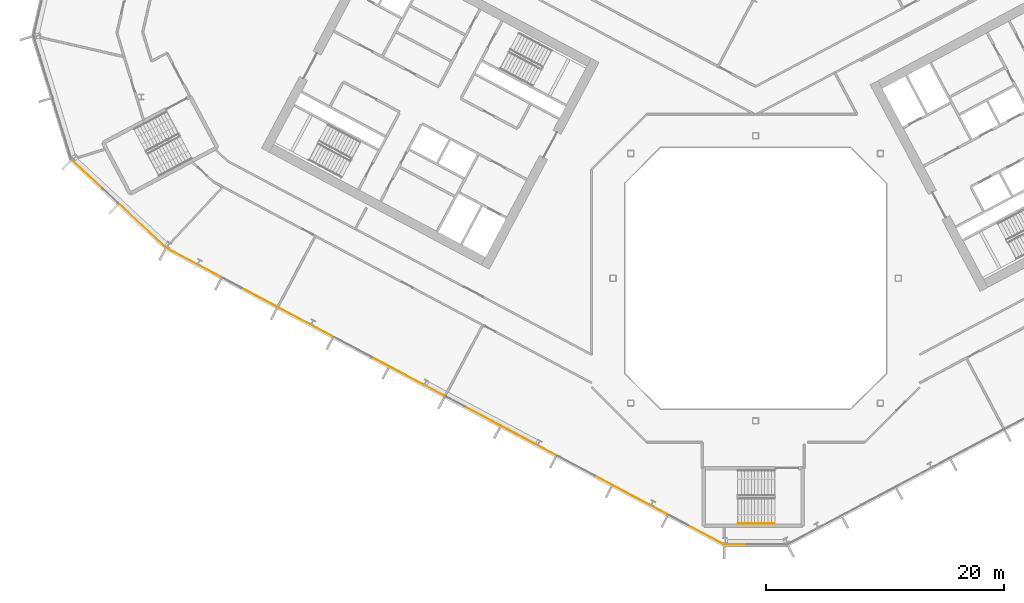
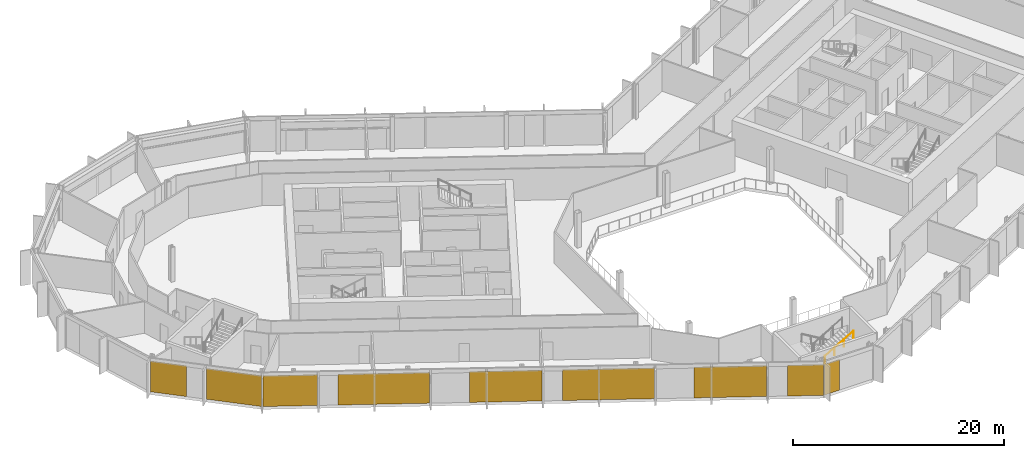
# One storey, part 19 of 28: 9 coverings, 1 railing, 3 elements without a shape of their own.
"""IFC4 building model written with IfcOpenShell, lengths in metres."""

import ifcopenshell
import ifcopenshell.guid

model = None  # the IFC model being written
_history = None  # IfcOwnerHistory: only IFC2X3 demands one
_inside = {}  # id of a spatial element -> (the spatial element, [elements in it])
_under = {}  # id of a project, library or spatial element -> (it, [spatial elements below it])
_declared = {}  # id of a project -> (the project, [libraries it declares])
_typed = {}  # id of a type object -> (the type object, [elements of that type])
_made_of = {}  # id of a material, layer set ... -> (it, [elements and type objects made of it])


def new_model(schema):
    """Start an empty IFC model of exactly this schema.

    Asked for "IFC4X3", IfcOpenShell would pick the latest addendum, in which some entities
    have other attributes; the version numbers below select the first issue.
    IFC2X3 requires an IfcOwnerHistory on every rooted entity: one is made here for all.
    """
    global model, _history
    if schema == "IFC4X3":
        model = ifcopenshell.file(schema_version=(4, 3, 0, 0))
    else:
        model = ifcopenshell.file(schema=schema)
    _inside.clear()
    _under.clear()
    _declared.clear()
    _typed.clear()
    _made_of.clear()
    _history = None
    if model.schema == "IFC2X3":
        org = make("IfcOrganization", Name="unknown")
        user = make(
            "IfcPersonAndOrganization",
            ThePerson=make("IfcPerson", FamilyName="unknown"),
            TheOrganization=org,
        )
        app = make(
            "IfcApplication",
            ApplicationDeveloper=org,
            Version="unknown",
            ApplicationFullName="unknown",
            ApplicationIdentifier="unknown",
        )
        _history = make(
            "IfcOwnerHistory",
            OwningUser=user,
            OwningApplication=app,
            ChangeAction="ADDED",
            CreationDate=0,
        )
    return model


def make(cls, **values):
    """One entity of the class cls with the attributes given. An attribute that is None is left unset."""
    return model.create_entity(
        cls, **{name: value for name, value in values.items() if value is not None}
    )


def rooted(cls, **values):
    """An entity with a GlobalId (a new one), such as an element, a storey or a relation."""
    return make(cls, GlobalId=ifcopenshell.guid.new(), OwnerHistory=_history, **values)


def si_unit(unit_type, name, prefix=None):
    """IfcSIUnit, for example si_unit("LENGTHUNIT", "METRE", prefix="MILLI")."""
    return make("IfcSIUnit", UnitType=unit_type, Prefix=prefix, Name=name)


def assignment(units):
    """IfcUnitAssignment: the units of a project."""
    return None if units is None else make("IfcUnitAssignment", Units=units)


def point(xyz):
    """IfcCartesianPoint."""
    return None if xyz is None else make("IfcCartesianPoint", Coordinates=xyz)


def direction(xyz):
    """IfcDirection."""
    return None if xyz is None else make("IfcDirection", DirectionRatios=xyz)


def frame(location, z_axis=None, x_axis=None):
    """IfcAxis2Placement3D, a coordinate frame: its origin and axes. An axis left out is left unset."""
    return make(
        "IfcAxis2Placement3D",
        Location=point(location),
        Axis=direction(z_axis),
        RefDirection=direction(x_axis),
    )


def frame_2d(location, x_axis=None):
    """IfcAxis2Placement2D, a coordinate frame in the plane: its origin and x axis."""
    return make(
        "IfcAxis2Placement2D", Location=point(location), RefDirection=direction(x_axis)
    )


def origin():
    """The frame at (0, 0, 0) with its axes left unset."""
    return frame((0.0, 0.0, 0.0))


def origin_2d():
    """The frame at (0, 0) in the plane with its x axis left unset."""
    return frame_2d((0.0, 0.0))


def place(relative_to, where):
    """IfcLocalPlacement: puts the frame where relative to a parent placement (None: the world)."""
    return make(
        "IfcLocalPlacement", PlacementRelTo=relative_to, RelativePlacement=where
    )


def context(
    kind, dimensions, precision=None, world=None, true_north=None, identifier=None
):
    """IfcGeometricRepresentationContext, for example the 3D "Model" context."""
    return make(
        "IfcGeometricRepresentationContext",
        ContextIdentifier=identifier,
        ContextType=kind,
        CoordinateSpaceDimension=dimensions,
        Precision=precision,
        WorldCoordinateSystem=world,
        TrueNorth=true_north,
    )


def subcontext(parent, identifier, kind, view, scale=None):
    """IfcGeometricRepresentationSubContext, for example "Body" below "Model"."""
    return make(
        "IfcGeometricRepresentationSubContext",
        ContextIdentifier=identifier,
        ContextType=kind,
        ParentContext=parent,
        TargetScale=scale,
        TargetView=view,
    )


def project(units=None, contexts=None):
    """IfcProject with its units and contexts."""
    return rooted(
        "IfcProject",
        Name="project",
        RepresentationContexts=contexts,
        UnitsInContext=assignment(units),
    )


def spatial(cls, under=None, at=None, **own):
    """A site, building, storey or space (cls), placed at a placement, below another one or the project."""
    s = rooted(cls, ObjectPlacement=at, **own)
    if under is not None:
        _under.setdefault(under.id(), (under, []))[1].append(s)
    return s


def polyline(points):
    """IfcPolyline through the points."""
    return make("IfcPolyline", Points=[point(p) for p in points])


def profile(cls, at=None, kind="AREA", **sizes):
    """A parametric profile (cls). Its sizes go by their IFC names, for example OverallWidth=200.0."""
    return make(cls, ProfileType=kind, Position=at, **sizes)


def rectangle(**sizes):
    """IfcRectangleProfileDef."""
    return profile("IfcRectangleProfileDef", **sizes)


def outline(outer, holes=None, kind="AREA"):
    """IfcArbitraryClosedProfileDef: a profile drawn as a closed curve; with holes, ...WithVoids."""
    if holes is None:
        return make("IfcArbitraryClosedProfileDef", ProfileType=kind, OuterCurve=outer)
    return make(
        "IfcArbitraryProfileDefWithVoids",
        ProfileType=kind,
        OuterCurve=outer,
        InnerCurves=holes,
    )


def extrude(swept, where, along, depth):
    """IfcExtrudedAreaSolid: the profile swept, set in the frame where, extruded along a direction by depth."""
    return make(
        "IfcExtrudedAreaSolid",
        SweptArea=swept,
        Position=where,
        ExtrudedDirection=direction(along),
        Depth=depth,
    )


def shape(context_of_items, identifier, shape_type, items):
    """IfcShapeRepresentation: the items that make up one representation, for example the "Body"."""
    return make(
        "IfcShapeRepresentation",
        ContextOfItems=context_of_items,
        RepresentationIdentifier=identifier,
        RepresentationType=shape_type,
        Items=items,
    )


def material(Name=None, Category=None):
    """IfcMaterial."""
    return make("IfcMaterial", Name=Name, Category=Category)


def layer(
    of_material, thickness, ventilated=None, Name=None, Category=None, Priority=None
):
    """IfcMaterialLayer: one layer of a wall or slab, of a material (None: an air gap)."""
    return make(
        "IfcMaterialLayer",
        Material=of_material,
        LayerThickness=thickness,
        IsVentilated=ventilated,
        Name=Name,
        Category=Category,
        Priority=Priority,
    )


def layer_set(layers, Name=None):
    """IfcMaterialLayerSet."""
    return make("IfcMaterialLayerSet", MaterialLayers=layers, LayerSetName=Name)


def made_of(thing, what):
    """Note that an element or type object is made of a material, layer set ...; save() writes the relation."""
    if what is not None:
        _made_of.setdefault(what.id(), (what, []))[1].append(thing)
    return thing


def type_object(cls, material=None, **own):
    """A type object (cls), such as IfcWallType, which elements share."""
    return made_of(rooted(cls, **own), material)


def element(
    cls,
    number,
    at=None,
    inside=None,
    cuts=None,
    type_object=None,
    material=None,
    context=None,
    identifier="Body",
    shape_type=None,
    held_by="IfcProductDefinitionShape",
    body=None,
    shapes=None,
    **own,
):
    """One element of the class cls, such as IfcWall. Its Tag is "e" and its number.

    at: its placement. inside: the storey or other place that contains it. cuts: it is an
    opening in that element (IfcRelVoidsElement). A single representation is given by context,
    identifier, shape_type and body (its items); several are given by shapes. held_by: the class
    of the entity that holds the representations. save() writes the other relations.
    """
    e = rooted(cls, Tag="e%d" % number, ObjectPlacement=at, **own)
    if body is not None:
        shapes = [shape(context, identifier, shape_type, body)]
    if shapes is not None:
        e.Representation = make(held_by, Representations=shapes)
    if inside is not None:
        _inside.setdefault(inside.id(), (inside, []))[1].append(e)
    if cuts is not None:
        rooted(
            "IfcRelVoidsElement", RelatingBuildingElement=cuts, RelatedOpeningElement=e
        )
    if type_object is not None:
        _typed.setdefault(type_object.id(), (type_object, []))[1].append(e)
    return made_of(e, material)


def aggregate(whole, parts):
    """IfcRelAggregates: a whole, such as a stair, and the parts it consists of."""
    return rooted("IfcRelAggregates", RelatingObject=whole, RelatedObjects=parts)


def save(model, path):
    """Write the relations noted so far, then the file.

    IfcRelAggregates (storeys below a building ...), IfcRelContainedInSpatialStructure (elements
    in a storey), IfcRelDefinesByType, IfcRelAssociatesMaterial and IfcRelDeclares: one each for
    every whole, place, type object, material and project.
    """
    for whole, parts in _under.values():
        aggregate(whole, parts)
    for where, things in _inside.values():
        rooted(
            "IfcRelContainedInSpatialStructure",
            RelatedElements=things,
            RelatingStructure=where,
        )
    for kind, things in _typed.values():
        rooted("IfcRelDefinesByType", RelatedObjects=things, RelatingType=kind)
    for what, things in _made_of.values():
        rooted("IfcRelAssociatesMaterial", RelatedObjects=things, RelatingMaterial=what)
    for by, libraries in _declared.values():
        rooted("IfcRelDeclares", RelatingContext=by, RelatedDefinitions=libraries)
    model.write(path)


model = new_model("IFC4")

# Units and contexts
model_context = context("Model", 3, precision=1e-05, world=origin(), true_north=direction((0.0, 1.0)))
body_context = subcontext(model_context, "Body", "Model", "MODEL_VIEW")
ifc_project = project(units=[si_unit("LENGTHUNIT", "METRE"), si_unit("AREAUNIT", "SQUARE_METRE"), si_unit("VOLUMEUNIT", "CUBIC_METRE"), si_unit("PLANEANGLEUNIT", "RADIAN"), si_unit("MASSUNIT", "GRAM", prefix="KILO")], contexts=[model_context])

# Site, building, storey
site_placement = place(None, origin())
site = spatial("IfcSite", under=ifc_project, at=site_placement, CompositionType="ELEMENT")
building_placement = place(site_placement, origin())
building = spatial("IfcBuilding", under=site, at=building_placement, Name="Cormorant Relay Tower", CompositionType="ELEMENT")
storey_placement = place(building_placement, frame((0.0, 0.0, 130.199951171875)))
storey = spatial("IfcBuildingStorey", under=building, at=storey_placement, Name="L26", CompositionType="ELEMENT", Elevation=130.199951171875)

# Curtain wall, covering
ifc_material_1 = material(Name="Aluminium 6063-T6 anodised bronze", Category="aluminium")
ifc_layer_1 = layer(ifc_material_1, 0.199951171875)
ifc_layer_set_1 = layer_set([ifc_layer_1], Name="CW1 unitised bronze curtain wall with vertical fins")
curtain_wall_type = type_object("IfcCurtainWallType", Name="CW1 unitised bronze curtain wall with vertical fins", PredefinedType="NOTDEFINED", material=ifc_layer_set_1)
curtain_wall_1_placement = place(storey_placement, origin())
curtain_wall_1 = element("IfcCurtainWall", 1, at=curtain_wall_1_placement, inside=storey, type_object=curtain_wall_type, Name="CW1 curtain wall 1", PredefinedType="NOTDEFINED")
ifc_material_2 = material(Name="Pale bronze anodised aluminium insulated panel", Category="aluminium")
ifc_layer_2 = layer(ifc_material_2, 0.0400390625)
ifc_layer_set_2 = layer_set([ifc_layer_2], Name="CW1 pale bronze insulated panel 40")
covering_type = type_object("IfcCoveringType", Name="CW1 pale bronze insulated panel 40", PredefinedType="CLADDING", material=ifc_layer_set_2)
covering_1_placement = place(storey_placement, frame((-1.762451171875, -22.3955078125, 0.0), z_axis=(0.0, 0.0, 1.0), x_axis=(1.0, 0.0, 0.0)))
covering_1 = element("IfcCovering", 2, at=covering_1_placement, type_object=covering_type, Name="CW1 panel S00", PredefinedType="CLADDING", context=body_context, shape_type="SweptSolid", body=[
    extrude(rectangle(XDim=1.622802734375, YDim=0.0400390625, at=origin_2d()), origin(), (0.0, 0.0, 1.0), 3.550048828125),
])
aggregate(curtain_wall_1, [covering_1])

# Curtain wall, coverings
curtain_wall_2_placement = place(storey_placement, origin())
curtain_wall_2 = element("IfcCurtainWall", 3, at=curtain_wall_2_placement, inside=storey, type_object=curtain_wall_type, Name="CW1 curtain wall 15", PredefinedType="NOTDEFINED")
covering_2_placement = place(storey_placement, frame((-56.22607421875, 8.74365234375, 0.0), z_axis=(0.0, 0.0, 1.0), x_axis=(0.731353701619, -0.681998360062, 0.0)))
covering_2 = element("IfcCovering", 4, at=covering_2_placement, type_object=covering_type, Name="CW1 panel S00", PredefinedType="CLADDING", context=body_context, shape_type="SweptSolid", body=[
    extrude(rectangle(XDim=3.485107421875, YDim=0.0400390625, at=origin_2d()), origin(), (0.0, 0.0, 1.0), 3.550048828125),
])
covering_3_placement = place(storey_placement, frame((-51.565185546875, 4.3974609375, 0.0), z_axis=(0.0, 0.0, 1.0), x_axis=(0.731353701619, -0.681998360062, 0.0)))
covering_3 = element("IfcCovering", 5, at=covering_3_placement, type_object=covering_type, Name="CW1 panel S02", PredefinedType="CLADDING", context=body_context, shape_type="SweptSolid", body=[
    extrude(rectangle(XDim=5.360107421875, YDim=0.0400390625, at=origin_2d()), origin(), (0.0, 0.0, 1.0), 3.550048828125),
])
aggregate(curtain_wall_2, [covering_2, covering_3])

curtain_wall_3_placement = place(storey_placement, origin())
curtain_wall_3 = element("IfcCurtainWall", 6, at=curtain_wall_3_placement, inside=storey, type_object=curtain_wall_type, Name="CW1 curtain wall 16", PredefinedType="NOTDEFINED")
covering_4_placement = place(storey_placement, frame((-47.25390625, 1.318603515625, 0.0), z_axis=(0.0, 0.0, 1.0), x_axis=(0.882947592859, -0.469471562786, 0.0)))
covering_4 = element("IfcCovering", 7, at=covering_4_placement, type_object=covering_type, Name="CW1 panel S00", PredefinedType="CLADDING", context=body_context, shape_type="SweptSolid", body=[
    extrude(rectangle(XDim=5.16650390625, YDim=0.0400390625, at=origin_2d()), origin(), (0.0, 0.0, 1.0), 3.550048828125),
])
covering_5_placement = place(storey_placement, frame((-39.417724609375, -2.847900390625, 0.0), z_axis=(0.0, 0.0, 1.0), x_axis=(0.882947592859, -0.469471562786, 0.0)))
covering_5 = element("IfcCovering", 8, at=covering_5_placement, type_object=covering_type, Name="CW1 panel S02", PredefinedType="CLADDING", context=body_context, shape_type="SweptSolid", body=[
    extrude(rectangle(XDim=8.68310546875, YDim=0.0400390625, at=origin_2d()), origin(), (0.0, 0.0, 1.0), 3.550048828125),
])
covering_6_placement = place(storey_placement, frame((-29.234619140625, -8.26220703125, 0.0), z_axis=(0.0, 0.0, 1.0), x_axis=(0.882947592859, -0.469471562786, 0.0)))
covering_6 = element("IfcCovering", 9, at=covering_6_placement, type_object=covering_type, Name="CW1 panel S04", PredefinedType="CLADDING", context=body_context, shape_type="SweptSolid", body=[
    extrude(rectangle(XDim=6.88330078125, YDim=0.0400390625, at=origin_2d()), origin(), (0.0, 0.0, 1.0), 3.550048828125),
])
covering_7_placement = place(storey_placement, frame((-20.640625, -12.831787109375, 0.0), z_axis=(0.0, 0.0, 1.0), x_axis=(0.882947592859, -0.469471562786, 0.0)))
covering_7 = element("IfcCovering", 10, at=covering_7_placement, type_object=covering_type, Name="CW1 panel S06", PredefinedType="CLADDING", context=body_context, shape_type="SweptSolid", body=[
    extrude(rectangle(XDim=8.68310546875, YDim=0.0400390625, at=origin_2d()), origin(), (0.0, 0.0, 1.0), 3.550048828125),
])
covering_8_placement = place(storey_placement, frame((-10.45751953125, -18.246337890625, 0.0), z_axis=(0.0, 0.0, 1.0), x_axis=(0.882947592859, -0.469471562786, 0.0)))
covering_8 = element("IfcCovering", 11, at=covering_8_placement, type_object=covering_type, Name="CW1 panel S08", PredefinedType="CLADDING", context=body_context, shape_type="SweptSolid", body=[
    extrude(rectangle(XDim=6.88330078125, YDim=0.0400390625, at=origin_2d()), origin(), (0.0, 0.0, 1.0), 3.550048828125),
])
covering_9_placement = place(storey_placement, frame((-4.177490234375, -21.58544921875, 0.0), z_axis=(0.0, 0.0, 1.0), x_axis=(0.882947592859, -0.469471562786, 0.0)))
covering_9 = element("IfcCovering", 12, at=covering_9_placement, type_object=covering_type, Name="CW1 panel S10", PredefinedType="CLADDING", context=body_context, shape_type="SweptSolid", body=[
    extrude(rectangle(XDim=3.441650390625, YDim=0.0400390625, at=origin_2d()), origin(), (0.0, 0.0, 1.0), 3.550048828125),
])
aggregate(curtain_wall_3, [covering_4, covering_5, covering_6, covering_7, covering_8, covering_9])

# Railing
ifc_material_3 = material(Name="Steel ASTM A572 Grade 50 (Fy 345 MPa)", Category="steel")
railing_type = type_object("IfcRailingType", Name="Stair handrail 900", PredefinedType="HANDRAIL", material=ifc_material_3)
railing_placement = place(storey_placement, frame((-1.47998046875, -20.625, 2.166748046875)))
element("IfcRailing", 13, at=railing_placement, inside=storey, type_object=railing_type, Name="L26 RK1 stair handrail 2", PredefinedType="HANDRAIL", context=body_context, shape_type="SweptSolid", body=[
    extrude(outline(polyline([(0.022216796875, 0.00927734375), (0.00927734375, 0.022216796875), (-0.00927734375, 0.022216796875), (-0.022216796875, 0.00927734375), (-0.022216796875, -0.00927734375), (-0.00927734375, -0.022216796875), (0.00927734375, -0.022216796875), (0.022216796875, -0.00927734375), (0.022216796875, 0.00927734375)])), frame((0.0, 0.0, 0.8759765625), z_axis=(0.859308565015, 0.0, 0.511457515432), x_axis=(0.0, 1.0, 0.0)), (0.0, 0.0, 1.0), 3.58447265625),
    extrude(outline(polyline([(0.019287109375, 0.008056640625), (0.008056640625, 0.019287109375), (-0.008056640625, 0.019287109375), (-0.019287109375, 0.008056640625), (-0.019287109375, -0.008056640625), (-0.008056640625, -0.019287109375), (0.008056640625, -0.019287109375), (0.019287109375, -0.008056640625), (0.019287109375, 0.008056640625)])), origin(), (0.0, 0.0, 1.0), 0.851806640625),
    extrude(outline(polyline([(0.019287109375, 0.008056640625), (0.008056640625, 0.019287109375), (-0.008056640625, 0.019287109375), (-0.019287109375, 0.008056640625), (-0.019287109375, -0.008056640625), (-0.008056640625, -0.019287109375), (0.008056640625, -0.019287109375), (0.019287109375, -0.008056640625), (0.019287109375, 0.008056640625)])), frame((1.026611328125, 0.0, 0.611083984375)), (0.0, 0.0, 1.0), 0.851806640625),
    extrude(outline(polyline([(0.019287109375, 0.008056640625), (0.008056640625, 0.019287109375), (-0.008056640625, 0.019287109375), (-0.019287109375, 0.008056640625), (-0.019287109375, -0.008056640625), (-0.008056640625, -0.019287109375), (0.008056640625, -0.019287109375), (0.019287109375, -0.008056640625), (0.019287109375, 0.008056640625)])), frame((2.053466796875, 0.0, 1.22216796875)), (0.0, 0.0, 1.0), 0.851806640625),
    extrude(outline(polyline([(0.019287109375, 0.008056640625), (0.008056640625, 0.019287109375), (-0.008056640625, 0.019287109375), (-0.019287109375, 0.008056640625), (-0.019287109375, -0.008056640625), (-0.008056640625, -0.019287109375), (0.008056640625, -0.019287109375), (0.019287109375, -0.008056640625), (0.019287109375, 0.008056640625)])), frame((3.080078125, 0.0, 1.833251953125)), (0.0, 0.0, 1.0), 0.851806640625),
])

save(model, "model.ifc")
